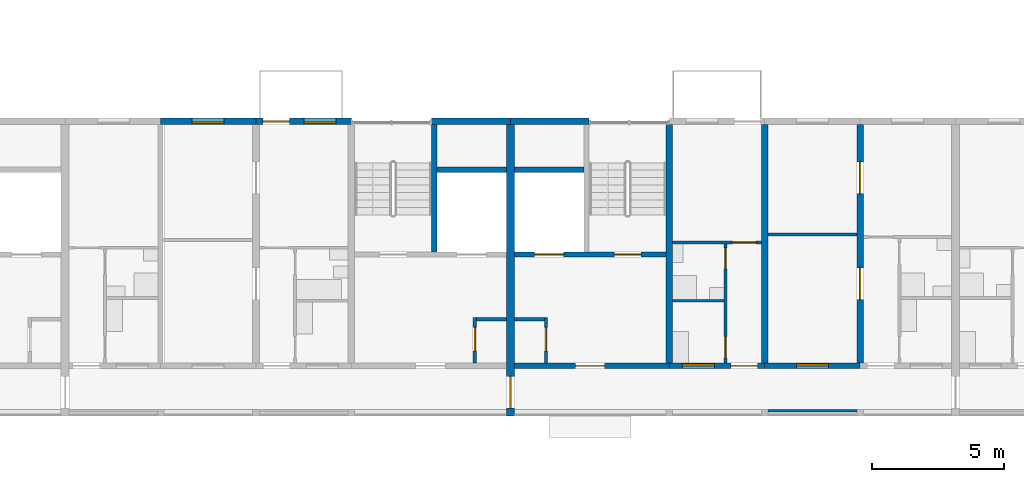
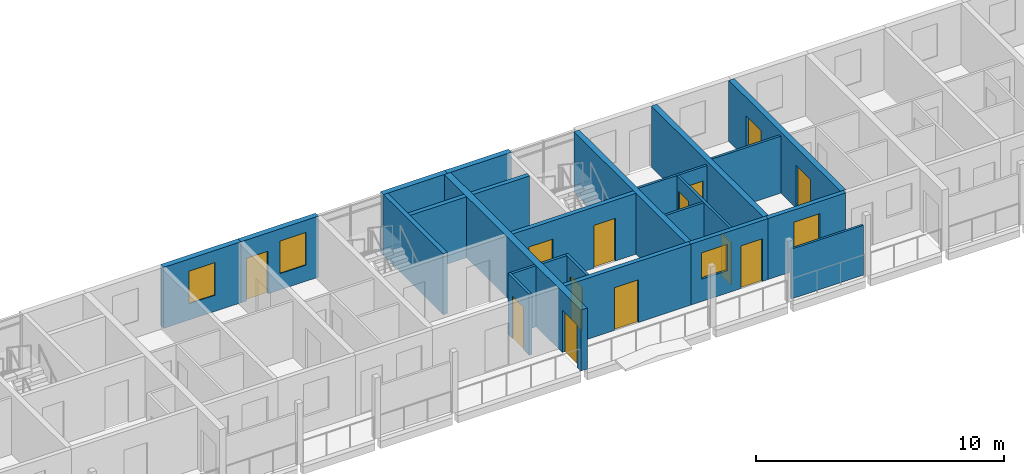
# One storey, part 32 of 100: 24 walls, 13 doors, 4 windows, 17 openings.
"""IFC4 building model written with IfcOpenShell, lengths in metres."""

from ifc_helpers import new_model, si_unit, direction, frame, frame_2d, origin, place, context, subcontext, project, spatial, rectangle, extrude, material, layer, layer_set, type_object, element, fill, save


model = new_model("IFC4")

# Units and contexts
model_context = context("Model", 3, precision=1e-05, world=origin(), true_north=direction((0.0, 1.0)))
body_context = subcontext(model_context, "Body", "Model", "MODEL_VIEW")
ifc_project = project(units=[si_unit("LENGTHUNIT", "METRE"), si_unit("AREAUNIT", "SQUARE_METRE"), si_unit("VOLUMEUNIT", "CUBIC_METRE"), si_unit("PLANEANGLEUNIT", "RADIAN"), si_unit("MASSUNIT", "GRAM", prefix="KILO")], contexts=[model_context])

# Site, building, storey
site_placement = place(None, origin())
site = spatial("IfcSite", under=ifc_project, at=site_placement, CompositionType="ELEMENT")
building_placement = place(site_placement, origin())
building = spatial("IfcBuilding", under=site, at=building_placement, Name="Ridgestep Commons", CompositionType="ELEMENT")
storey_placement = place(building_placement, frame((0.0, 0.0, 9.0)))
storey = spatial("IfcBuildingStorey", under=building, at=storey_placement, Name="L03", CompositionType="ELEMENT", Elevation=9.0)

# Wall
ifc_material_1 = material(Name="Concrete C30/37", Category="concrete")
ifc_layer_1 = layer(ifc_material_1, 0.25)
ifc_layer_set_1 = layer_set([ifc_layer_1], Name="Core cross wall 250")
wall_type_1 = type_object("IfcWallType", Name="Core cross wall 250", PredefinedType="SHEAR", material=ifc_layer_set_1)
wall_1_placement = place(storey_placement, frame((51.60009765625, 13.75, 0.0), z_axis=(0.0, 0.0, 1.0), x_axis=(0.0, 1.0, 0.0)))
element("IfcWall", 1, at=wall_1_placement, inside=storey, type_object=wall_type_1, Name="Cross wall A-03-0516", PredefinedType="SHEAR", context=body_context, shape_type="SweptSolid", body=[
    extrude(rectangle(XDim=9.0, YDim=0.25, at=frame_2d((4.5, 0.0))), origin(), (0.0, 0.0, 1.0), 3.0),
])

# Wall, opening, door
ifc_material_2 = material(Name="Concrete C30/37", Category="concrete")
ifc_layer_2 = layer(ifc_material_2, 0.199951171875)
ifc_layer_set_2 = layer_set([ifc_layer_2], Name="Core south wall 200")
wall_type_2 = type_object("IfcWallType", Name="Core south wall 200", PredefinedType="SHEAR", material=ifc_layer_set_2)
wall_2_placement = place(storey_placement, frame((45.75, 13.64990234375, 0.0), z_axis=(0.0, 0.0, 1.0), x_axis=(1.0, 0.0, 0.0)))
wall_2 = element("IfcWall", 2, at=wall_2_placement, inside=storey, type_object=wall_type_2, Name="Core south wall A3C L03", PredefinedType="SHEAR", context=body_context, shape_type="SweptSolid", body=[
    extrude(rectangle(XDim=5.85009765625, YDim=0.199951171875, at=frame_2d((2.925048828125, 0.0))), origin(), (0.0, 0.0, 1.0), 3.0),
])
opening_1_placement = place(wall_2_placement, frame((2.3125, 0.0, 0.0)))
opening_1 = element("IfcOpeningElement", 3, at=opening_1_placement, cuts=wall_2, Name="Opening A3C/03/1", PredefinedType="OPENING", context=body_context, shape_type="SweptSolid", body=[
    extrude(rectangle(XDim=1.10009765625, YDim=2.10009765625, at=frame_2d((0.550048828125, 1.050048828125))), frame((0.0, 0.10986328125, 0.0), z_axis=(0.0, -1.0, 0.0), x_axis=(1.0, 0.0, 0.0)), (0.0, 0.0, 1.0), 0.219970703125),
])
ifc_material_3 = material(Name="Steel fire door", Category="steel")
door_type_1 = type_object("IfcDoorType", Name="Lobby door 1100 x 2100 FD60", OperationType="NOTDEFINED", PredefinedType="DOOR", material=ifc_material_3)
door_1_placement = place(opening_1_placement, origin())
door_1 = element("IfcDoor", 4, at=door_1_placement, inside=storey, type_object=door_type_1, Name="Lobby door A3C/03/1", OperationType="SINGLE_SWING_LEFT", OverallHeight=2.10009765625, OverallWidth=1.10009765625, PredefinedType="DOOR", context=body_context, shape_type="SweptSolid", body=[
    extrude(rectangle(XDim=1.10009765625, YDim=2.10009765625, at=frame_2d((0.550048828125, 1.050048828125))), frame((0.0, 0.02490234375, 0.0), z_axis=(0.0, -1.0, 0.0), x_axis=(1.0, 0.0, 0.0)), (0.0, 0.0, 1.0), 0.050048828125),
])
fill(opening_1, door_1)

ifc_material_4 = material(Name="Concrete C30/37", Category="concrete")
ifc_layer_3 = layer(ifc_material_4, 0.1201171875)
ifc_layer_set_3 = layer_set([ifc_layer_3], Name="Core wall 120")
wall_type_3 = type_object("IfcWallType", Name="Core wall 120", PredefinedType="SHEAR", material=ifc_layer_set_3)
wall_3_placement = place(storey_placement, frame((44.260009765625, 13.75, 0.0), z_axis=(0.0, 0.0, 1.0), x_axis=(0.0, 1.0, 0.0)))
wall_3 = element("IfcWall", 5, at=wall_3_placement, inside=storey, type_object=wall_type_3, Name="Core riser w wall A2C L03", PredefinedType="SHEAR", context=body_context, shape_type="SweptSolid", body=[
    extrude(rectangle(XDim=1.719970703125, YDim=0.1201171875, at=frame_2d((0.85986328125, 0.0))), origin(), (0.0, 0.0, 1.0), 3.0),
])
opening_2_placement = place(wall_3_placement, frame((0.449951171875, 0.0, 0.0)))
opening_2 = element("IfcOpeningElement", 6, at=opening_2_placement, cuts=wall_3, Name="Opening A2C/03/4", PredefinedType="OPENING", context=body_context, shape_type="SweptSolid", body=[
    extrude(rectangle(XDim=0.89990234375, YDim=2.10009765625, at=frame_2d((0.449951171875, 1.050048828125))), frame((0.0, 0.070068359375, 0.0), z_axis=(0.0, -1.0, 0.0), x_axis=(1.0, 0.0, 0.0)), (0.0, 0.0, 1.0), 0.14013671875),
])
ifc_material_5 = material(Name="Steel fire door", Category="steel")
door_type_2 = type_object("IfcDoorType", Name="Riser door 900 x 2100 FD60", OperationType="NOTDEFINED", PredefinedType="DOOR", material=ifc_material_5)
door_2_placement = place(opening_2_placement, origin())
door_2 = element("IfcDoor", 7, at=door_2_placement, inside=storey, type_object=door_type_2, Name="Riser door A2C/03/4", OperationType="SINGLE_SWING_LEFT", OverallHeight=2.10009765625, OverallWidth=0.89990234375, PredefinedType="DOOR", context=body_context, shape_type="SweptSolid", body=[
    extrude(rectangle(XDim=0.89990234375, YDim=2.10009765625, at=frame_2d((0.449951171875, 1.050048828125))), frame((0.0, 0.02490234375, 0.0), z_axis=(0.0, -1.0, 0.0), x_axis=(1.0, 0.0, 0.0)), (0.0, 0.0, 1.0), 0.050048828125),
])
fill(opening_2, door_2)

# Wall
wall_4_placement = place(storey_placement, frame((44.320068359375, 15.409912109375, 0.0), z_axis=(0.0, 0.0, 1.0), x_axis=(1.0, 0.0, 0.0)))
element("IfcWall", 8, at=wall_4_placement, inside=storey, type_object=wall_type_3, Name="Core riser n wall A2C L03", PredefinedType="SHEAR", context=body_context, shape_type="SweptSolid", body=[
    extrude(rectangle(XDim=1.1298828125, YDim=0.1201171875, at=frame_2d((0.56494140625, 0.0))), origin(), (0.0, 0.0, 1.0), 3.0),
])

# Wall, opening, door
wall_5_placement = place(storey_placement, frame((46.93994140625, 13.75, 0.0), z_axis=(0.0, 0.0, 1.0), x_axis=(0.0, 1.0, 0.0)))
wall_5 = element("IfcWall", 9, at=wall_5_placement, inside=storey, type_object=wall_type_3, Name="Core riser w wall A3C L03", PredefinedType="SHEAR", context=body_context, shape_type="SweptSolid", body=[
    extrude(rectangle(XDim=1.719970703125, YDim=0.1201171875, at=frame_2d((0.85986328125, 0.0))), origin(), (0.0, 0.0, 1.0), 3.0),
])
opening_3_placement = place(wall_5_placement, frame((0.449951171875, 0.0, 0.0)))
opening_3 = element("IfcOpeningElement", 10, at=opening_3_placement, cuts=wall_5, Name="Opening A3C/03/4", PredefinedType="OPENING", context=body_context, shape_type="SweptSolid", body=[
    extrude(rectangle(XDim=0.89990234375, YDim=2.10009765625, at=frame_2d((0.449951171875, 1.050048828125))), frame((0.0, 0.070068359375, 0.0), z_axis=(0.0, -1.0, 0.0), x_axis=(1.0, 0.0, 0.0)), (0.0, 0.0, 1.0), 0.14013671875),
])
door_3_placement = place(opening_3_placement, origin())
door_3 = element("IfcDoor", 11, at=door_3_placement, inside=storey, type_object=door_type_2, Name="Riser door A3C/03/4", OperationType="SINGLE_SWING_RIGHT", OverallHeight=2.10009765625, OverallWidth=0.89990234375, PredefinedType="DOOR", context=body_context, shape_type="SweptSolid", body=[
    extrude(rectangle(XDim=0.89990234375, YDim=2.10009765625, at=frame_2d((0.449951171875, 1.050048828125))), frame((0.0, 0.02490234375, 0.0), z_axis=(0.0, -1.0, 0.0), x_axis=(1.0, 0.0, 0.0)), (0.0, 0.0, 1.0), 0.050048828125),
])
fill(opening_3, door_3)

# Walls
wall_6_placement = place(storey_placement, frame((45.75, 15.409912109375, 0.0), z_axis=(0.0, 0.0, 1.0), x_axis=(1.0, 0.0, 0.0)))
element("IfcWall", 12, at=wall_6_placement, inside=storey, type_object=wall_type_3, Name="Core riser n wall A3C L03", PredefinedType="SHEAR", context=body_context, shape_type="SweptSolid", body=[
    extrude(rectangle(XDim=1.1298828125, YDim=0.1201171875, at=frame_2d((0.56494140625, 0.0))), origin(), (0.0, 0.0, 1.0), 3.0),
])
ifc_material_6 = material(Name="Concrete C30/37", Category="concrete")
ifc_layer_4 = layer(ifc_material_6, 0.199951171875)
ifc_layer_set_4 = layer_set([ifc_layer_4], Name="Core wall 200")
wall_type_4 = type_object("IfcWallType", Name="Core wall 200", PredefinedType="SHEAR", material=ifc_layer_set_4)
wall_7_placement = place(storey_placement, frame((42.72509765625, 17.949951171875, 0.0), z_axis=(0.0, 0.0, 1.0), x_axis=(0.0, 1.0, 0.0)))
element("IfcWall", 13, at=wall_7_placement, inside=storey, type_object=wall_type_4, Name="Core stair wall A2C L03", PredefinedType="SHEAR", context=body_context, shape_type="SweptSolid", body=[
    extrude(rectangle(XDim=4.800048828125, YDim=0.199951171875, at=frame_2d((2.39990234375, 0.0))), origin(), (0.0, 0.0, 1.0), 3.0),
])
wall_8_placement = place(storey_placement, frame((42.824951171875, 21.050048828125, 0.0), z_axis=(0.0, 0.0, 1.0), x_axis=(1.0, 0.0, 0.0)))
element("IfcWall", 14, at=wall_8_placement, inside=storey, type_object=wall_type_4, Name="Core duct wall A2C L03", PredefinedType="SHEAR", context=body_context, shape_type="SweptSolid", body=[
    extrude(rectangle(XDim=2.625, YDim=0.199951171875, at=frame_2d((1.3125, 0.0))), origin(), (0.0, 0.0, 1.0), 3.0),
])

# Wall, openings, doors
wall_9_placement = place(storey_placement, frame((45.75, 17.85009765625, 0.0), z_axis=(0.0, 0.0, 1.0), x_axis=(1.0, 0.0, 0.0)))
wall_9 = element("IfcWall", 15, at=wall_9_placement, inside=storey, type_object=wall_type_4, Name="Core lobby wall A3C L03", PredefinedType="SHEAR", context=body_context, shape_type="SweptSolid", body=[
    extrude(rectangle(XDim=5.72509765625, YDim=0.199951171875, at=frame_2d((2.862548828125, 0.0))), origin(), (0.0, 0.0, 1.0), 3.0),
])
opening_4_placement = place(wall_9_placement, frame((3.77490234375, 0.0, 0.0)))
opening_4 = element("IfcOpeningElement", 16, at=opening_4_placement, cuts=wall_9, Name="Opening A3C/03/2", PredefinedType="OPENING", context=body_context, shape_type="SweptSolid", body=[
    extrude(rectangle(XDim=1.0, YDim=2.10009765625, at=frame_2d((0.5, 1.050048828125))), frame((0.0, 0.10986328125, 0.0), z_axis=(0.0, -1.0, 0.0), x_axis=(1.0, 0.0, 0.0)), (0.0, 0.0, 1.0), 0.219970703125),
])
opening_5_placement = place(wall_9_placement, frame((0.762451171875, 0.0, 0.0)))
opening_5 = element("IfcOpeningElement", 17, at=opening_5_placement, cuts=wall_9, Name="Opening A3C/03/3", PredefinedType="OPENING", context=body_context, shape_type="SweptSolid", body=[
    extrude(rectangle(XDim=1.10009765625, YDim=2.10009765625, at=frame_2d((0.550048828125, 1.050048828125))), frame((0.0, 0.10986328125, 0.0), z_axis=(0.0, -1.0, 0.0), x_axis=(1.0, 0.0, 0.0)), (0.0, 0.0, 1.0), 0.219970703125),
])
ifc_material_7 = material(Name="Stainless steel", Category="steel")
door_type_3 = type_object("IfcDoorType", Name="Lift landing door 1100 x 2100 FD60", OperationType="DOUBLE_DOOR_SLIDING", PredefinedType="DOOR", material=ifc_material_7)
door_4_placement = place(opening_5_placement, origin())
door_4 = element("IfcDoor", 18, at=door_4_placement, inside=storey, type_object=door_type_3, Name="Landing door LD A3C L03", OperationType="DOUBLE_DOOR_SLIDING", OverallHeight=2.10009765625, OverallWidth=1.10009765625, PredefinedType="DOOR", context=body_context, shape_type="SweptSolid", body=[
    extrude(rectangle(XDim=1.10009765625, YDim=2.10009765625, at=frame_2d((0.550048828125, 1.050048828125))), frame((0.0, 0.02490234375, 0.0), z_axis=(0.0, -1.0, 0.0), x_axis=(1.0, 0.0, 0.0)), (0.0, 0.0, 1.0), 0.050048828125),
])
fill(opening_5, door_4)
ifc_material_8 = material(Name="Steel fire door", Category="steel")
door_type_4 = type_object("IfcDoorType", Name="Stair door 1000 x 2100 FD60", OperationType="NOTDEFINED", PredefinedType="DOOR", material=ifc_material_8)
door_5_placement = place(opening_4_placement, origin())
door_5 = element("IfcDoor", 19, at=door_5_placement, inside=storey, type_object=door_type_4, Name="Stair door A3C/03/2", OperationType="SINGLE_SWING_RIGHT", OverallHeight=2.10009765625, OverallWidth=1.0, PredefinedType="DOOR", context=body_context, shape_type="SweptSolid", body=[
    extrude(rectangle(XDim=1.0, YDim=2.10009765625, at=frame_2d((0.5, 1.050048828125))), frame((0.0, 0.02490234375, 0.0), z_axis=(0.0, -1.0, 0.0), x_axis=(1.0, 0.0, 0.0)), (0.0, 0.0, 1.0), 0.050048828125),
])
fill(opening_4, door_5)

# Walls
wall_10_placement = place(storey_placement, frame((45.75, 21.050048828125, 0.0), z_axis=(0.0, 0.0, 1.0), x_axis=(1.0, 0.0, 0.0)))
element("IfcWall", 20, at=wall_10_placement, inside=storey, type_object=wall_type_4, Name="Core duct wall A3C L03", PredefinedType="SHEAR", context=body_context, shape_type="SweptSolid", body=[
    extrude(rectangle(XDim=2.625, YDim=0.199951171875, at=frame_2d((1.3125, 0.0))), origin(), (0.0, 0.0, 1.0), 3.0),
])
ifc_material_9 = material(Name="Precast concrete C40/50", Category="concrete")
ifc_layer_5 = layer(ifc_material_9, 0.25)
ifc_layer_set_5 = layer_set([ifc_layer_5], Name="Cross wall 250")
wall_type_5 = type_object("IfcWallType", Name="Cross wall 250", PredefinedType="SHEAR", material=ifc_layer_set_5)
wall_11_placement = place(storey_placement, frame((55.199951171875, 13.75, 0.0), z_axis=(0.0, 0.0, 1.0), x_axis=(0.0, 1.0, 0.0)))
element("IfcWall", 21, at=wall_11_placement, inside=storey, type_object=wall_type_5, Name="Cross wall A-03-0552", PredefinedType="SHEAR", context=body_context, shape_type="SweptSolid", body=[
    extrude(rectangle(XDim=9.0, YDim=0.25, at=frame_2d((4.5, 0.0))), origin(), (0.0, 0.0, 1.0), 3.0),
])

# Wall, openings, doors
wall_12_placement = place(storey_placement, frame((58.800048828125, 13.75, 0.0), z_axis=(0.0, 0.0, 1.0), x_axis=(0.0, 1.0, 0.0)))
wall_12 = element("IfcWall", 22, at=wall_12_placement, inside=storey, type_object=wall_type_5, Name="Cross wall A-03-0588", PredefinedType="SHEAR", context=body_context, shape_type="SweptSolid", body=[
    extrude(rectangle(XDim=9.0, YDim=0.25, at=frame_2d((4.5, 0.0))), origin(), (0.0, 0.0, 1.0), 3.0),
])
opening_6_placement = place(wall_12_placement, frame((2.39990234375, 0.0, 0.0)))
opening_6 = element("IfcOpeningElement", 23, at=opening_6_placement, cuts=wall_12, Name="Opening A3-03a/5", PredefinedType="OPENING", context=body_context, shape_type="SweptSolid", body=[
    extrude(rectangle(XDim=1.199951171875, YDim=2.10009765625, at=frame_2d((0.60009765625, 1.050048828125))), frame((0.0, 0.135009765625, 0.0), z_axis=(0.0, -1.0, 0.0), x_axis=(1.0, 0.0, 0.0)), (0.0, 0.0, 1.0), 0.27001953125),
])
opening_7_placement = place(wall_12_placement, frame((6.39990234375, 0.0, 0.0)))
opening_7 = element("IfcOpeningElement", 24, at=opening_7_placement, cuts=wall_12, Name="Opening A3-03a/6", PredefinedType="OPENING", context=body_context, shape_type="SweptSolid", body=[
    extrude(rectangle(XDim=1.199951171875, YDim=2.10009765625, at=frame_2d((0.60009765625, 1.050048828125))), frame((0.0, 0.135009765625, 0.0), z_axis=(0.0, -1.0, 0.0), x_axis=(1.0, 0.0, 0.0)), (0.0, 0.0, 1.0), 0.27001953125),
])
ifc_material_10 = material(Name="Timber door leaf", Category="wood")
door_type_5 = type_object("IfcDoorType", Name="Double door 1200 x 2100", OperationType="DOUBLE_DOOR_SINGLE_SWING", PredefinedType="DOOR", material=ifc_material_10)
door_6_placement = place(opening_6_placement, origin())
door_6 = element("IfcDoor", 25, at=door_6_placement, inside=storey, type_object=door_type_5, Name="Double door A3-03a/5", OperationType="DOUBLE_DOOR_SINGLE_SWING", OverallHeight=2.10009765625, OverallWidth=1.199951171875, PredefinedType="DOOR", context=body_context, shape_type="SweptSolid", body=[
    extrude(rectangle(XDim=1.199951171875, YDim=2.10009765625, at=frame_2d((0.60009765625, 1.050048828125))), frame((0.0, 0.02490234375, 0.0), z_axis=(0.0, -1.0, 0.0), x_axis=(1.0, 0.0, 0.0)), (0.0, 0.0, 1.0), 0.050048828125),
])
fill(opening_6, door_6)
door_7_placement = place(opening_7_placement, origin())
door_7 = element("IfcDoor", 26, at=door_7_placement, inside=storey, type_object=door_type_5, Name="Double door A3-03a/6", OperationType="DOUBLE_DOOR_SINGLE_SWING", OverallHeight=2.10009765625, OverallWidth=1.199951171875, PredefinedType="DOOR", context=body_context, shape_type="SweptSolid", body=[
    extrude(rectangle(XDim=1.199951171875, YDim=2.10009765625, at=frame_2d((0.60009765625, 1.050048828125))), frame((0.0, 0.02490234375, 0.0), z_axis=(0.0, -1.0, 0.0), x_axis=(1.0, 0.0, 0.0)), (0.0, 0.0, 1.0), 0.050048828125),
])
fill(opening_7, door_7)

# Wall, opening, door
ifc_material_11 = material(Name="Precast concrete C40/50", Category="concrete")
ifc_layer_6 = layer(ifc_material_11, 0.300048828125)
ifc_layer_set_6 = layer_set([ifc_layer_6], Name="Division wall 300")
wall_type_6 = type_object("IfcWallType", Name="Division wall 300", PredefinedType="SHEAR", material=ifc_layer_set_6)
wall_13_placement = place(storey_placement, frame((45.60009765625, 11.75, 0.0), z_axis=(0.0, 0.0, 1.0), x_axis=(0.0, 1.0, 0.0)))
wall_13 = element("IfcWall", 27, at=wall_13_placement, inside=storey, type_object=wall_type_6, Name="Cross wall A-03-0456", PredefinedType="SHEAR", context=body_context, shape_type="SweptSolid", body=[
    extrude(rectangle(XDim=11.0, YDim=0.300048828125, at=frame_2d((5.5, 0.0))), origin(), (0.0, 0.0, 1.0), 3.0),
])
opening_8_placement = place(wall_13_placement, frame((0.300048828125, 0.0, 0.0)))
opening_8 = element("IfcOpeningElement", 28, at=opening_8_placement, cuts=wall_13, Name="Opening A/03/G0456", PredefinedType="OPENING", context=body_context, shape_type="SweptSolid", body=[
    extrude(rectangle(XDim=1.199951171875, YDim=2.10009765625, at=frame_2d((0.60009765625, 1.050048828125))), frame((0.0, 0.159912109375, 0.0), z_axis=(0.0, -1.0, 0.0), x_axis=(1.0, 0.0, 0.0)), (0.0, 0.0, 1.0), 0.320068359375),
])
ifc_material_12 = material(Name="Steel fire door", Category="steel")
door_type_6 = type_object("IfcDoorType", Name="Division fire door 1200 x 2100 EI 240", OperationType="DOUBLE_DOOR_SINGLE_SWING", PredefinedType="DOOR", material=ifc_material_12)
door_8_placement = place(opening_8_placement, origin())
door_8 = element("IfcDoor", 29, at=door_8_placement, inside=storey, type_object=door_type_6, Name="Division fire door A/03/G0456", OperationType="DOUBLE_DOOR_SINGLE_SWING", OverallHeight=2.10009765625, OverallWidth=1.199951171875, PredefinedType="DOOR", context=body_context, shape_type="SweptSolid", body=[
    extrude(rectangle(XDim=1.199951171875, YDim=2.10009765625, at=frame_2d((0.60009765625, 1.050048828125))), frame((0.0, 0.02490234375, 0.0), z_axis=(0.0, -1.0, 0.0), x_axis=(1.0, 0.0, 0.0)), (0.0, 0.0, 1.0), 0.050048828125),
])
fill(opening_8, door_8)

# Wall, opening, window
ifc_material_13 = material(Name="Precast concrete C40/50", Category="concrete")
ifc_layer_7 = layer(ifc_material_13, 0.25)
ifc_layer_set_7 = layer_set([ifc_layer_7], Name="North facade panel 250")
wall_type_7 = type_object("IfcWallType", Name="North facade panel 250", PredefinedType="SOLIDWALL", material=ifc_layer_set_7)
wall_14_placement = place(storey_placement, frame((32.39990234375, 22.875, 0.0), z_axis=(0.0, 0.0, 1.0), x_axis=(1.0, 0.0, 0.0)))
wall_14 = element("IfcWall", 30, at=wall_14_placement, inside=storey, type_object=wall_type_7, Name="North panel A2T2 L03", PredefinedType="SOLIDWALL", context=body_context, shape_type="SweptSolid", body=[
    extrude(rectangle(XDim=3.60009765625, YDim=0.25, at=frame_2d((1.800048828125, 0.0))), origin(), (0.0, 0.0, 1.0), 3.0),
])
opening_9_placement = place(wall_14_placement, frame((1.1875, 0.0, 0.800048828125)))
opening_9 = element("IfcOpeningElement", 31, at=opening_9_placement, cuts=wall_14, Name="Opening W11", PredefinedType="OPENING", context=body_context, shape_type="SweptSolid", body=[
    extrude(rectangle(XDim=1.199951171875, YDim=1.60009765625, at=frame_2d((0.60009765625, 0.800048828125))), frame((0.0, 0.135009765625, 0.0), z_axis=(0.0, -1.0, 0.0), x_axis=(1.0, 0.0, 0.0)), (0.0, 0.0, 1.0), 0.27001953125),
])
ifc_material_14 = material(Name="Aluminium 6063-T6 and glass", Category="aluminium")
window_type_1 = type_object("IfcWindowType", Name="Flat window 1200 x 1600", PartitioningType="SINGLE_PANEL", PredefinedType="WINDOW", material=ifc_material_14)
window_1_placement = place(opening_9_placement, origin())
window_1 = element("IfcWindow", 32, at=window_1_placement, inside=storey, type_object=window_type_1, Name="Window A2-03b 2", OverallHeight=1.60009765625, OverallWidth=1.199951171875, PartitioningType="SINGLE_PANEL", PredefinedType="WINDOW", context=body_context, shape_type="SweptSolid", body=[
    extrude(rectangle(XDim=1.199951171875, YDim=1.60009765625, at=frame_2d((0.60009765625, 0.800048828125))), frame((0.0, -0.02490234375, 0.0), z_axis=(0.0, -1.0, 0.0), x_axis=(1.0, 0.0, 0.0)), (0.0, 0.0, 1.0), 0.06005859375),
])
fill(opening_9, window_1)

# Wall, openings, door, window
wall_15_placement = place(storey_placement, frame((36.0, 22.875, 0.0), z_axis=(0.0, 0.0, 1.0), x_axis=(1.0, 0.0, 0.0)))
wall_15 = element("IfcWall", 33, at=wall_15_placement, inside=storey, type_object=wall_type_7, Name="North panel A2T3 L03", PredefinedType="SOLIDWALL", context=body_context, shape_type="SweptSolid", body=[
    extrude(rectangle(XDim=3.60009765625, YDim=0.25, at=frame_2d((1.800048828125, 0.0))), origin(), (0.0, 0.0, 1.0), 3.0),
])
opening_10_placement = place(wall_15_placement, frame((1.81689453125, 0.0, 0.800048828125)))
opening_10 = element("IfcOpeningElement", 34, at=opening_10_placement, cuts=wall_15, Name="Opening W11", PredefinedType="OPENING", context=body_context, shape_type="SweptSolid", body=[
    extrude(rectangle(XDim=1.199951171875, YDim=1.60009765625, at=frame_2d((0.60009765625, 0.800048828125))), frame((0.0, 0.135009765625, 0.0), z_axis=(0.0, -1.0, 0.0), x_axis=(1.0, 0.0, 0.0)), (0.0, 0.0, 1.0), 0.27001953125),
])
opening_11_placement = place(wall_15_placement, frame((0.259033203125, 0.0, 0.0)))
opening_11 = element("IfcOpeningElement", 35, at=opening_11_placement, cuts=wall_15, Name="Opening A2-03b/7", PredefinedType="OPENING", context=body_context, shape_type="SweptSolid", body=[
    extrude(rectangle(XDim=1.0, YDim=2.10009765625, at=frame_2d((0.5, 1.050048828125))), frame((0.0, 0.135009765625, 0.0), z_axis=(0.0, -1.0, 0.0), x_axis=(1.0, 0.0, 0.0)), (0.0, 0.0, 1.0), 0.27001953125),
])
ifc_material_15 = material(Name="Aluminium and glass", Category="aluminium")
door_type_7 = type_object("IfcDoorType", Name="Balcony door 1000 x 2100", OperationType="NOTDEFINED", PredefinedType="DOOR", material=ifc_material_15)
door_9_placement = place(opening_11_placement, origin())
door_9 = element("IfcDoor", 36, at=door_9_placement, inside=storey, type_object=door_type_7, Name="Balcony door A2-03b/7", OperationType="SINGLE_SWING_RIGHT", OverallHeight=2.10009765625, OverallWidth=1.0, PredefinedType="DOOR", context=body_context, shape_type="SweptSolid", body=[
    extrude(rectangle(XDim=1.0, YDim=2.10009765625, at=frame_2d((0.5, 1.050048828125))), frame((0.0, 0.02490234375, 0.0), z_axis=(0.0, -1.0, 0.0), x_axis=(1.0, 0.0, 0.0)), (0.0, 0.0, 1.0), 0.050048828125),
])
fill(opening_11, door_9)
window_2_placement = place(opening_10_placement, origin())
window_2 = element("IfcWindow", 37, at=window_2_placement, inside=storey, type_object=window_type_1, Name="Window A2-03b 4", OverallHeight=1.60009765625, OverallWidth=1.199951171875, PartitioningType="SINGLE_PANEL", PredefinedType="WINDOW", context=body_context, shape_type="SweptSolid", body=[
    extrude(rectangle(XDim=1.199951171875, YDim=1.60009765625, at=frame_2d((0.60009765625, 0.800048828125))), frame((0.0, -0.02490234375, 0.0), z_axis=(0.0, -1.0, 0.0), x_axis=(1.0, 0.0, 0.0)), (0.0, 0.0, 1.0), 0.06005859375),
])
fill(opening_10, window_2)

# Walls
wall_16_placement = place(storey_placement, frame((42.625, 22.875, 0.0), z_axis=(0.0, 0.0, 1.0), x_axis=(1.0, 0.0, 0.0)))
element("IfcWall", 38, at=wall_16_placement, inside=storey, type_object=wall_type_7, Name="North panel A2C L03", PredefinedType="SOLIDWALL", context=body_context, shape_type="SweptSolid", body=[
    extrude(rectangle(XDim=2.97509765625, YDim=0.25, at=frame_2d((1.487548828125, 0.0))), origin(), (0.0, 0.0, 1.0), 3.0),
])
wall_17_placement = place(storey_placement, frame((45.60009765625, 22.875, 0.0), z_axis=(0.0, 0.0, 1.0), x_axis=(1.0, 0.0, 0.0)))
element("IfcWall", 39, at=wall_17_placement, inside=storey, type_object=wall_type_7, Name="North panel A3C L03", PredefinedType="SOLIDWALL", context=body_context, shape_type="SweptSolid", body=[
    extrude(rectangle(XDim=2.974853515625, YDim=0.25, at=frame_2d((1.4873046875, 0.0))), origin(), (0.0, 0.0, 1.0), 3.0),
])
ifc_material_16 = material(Name="Common brick 110 mm", Category="masonry")
ifc_layer_8 = layer(ifc_material_16, 0.110107421875)
ifc_layer_set_8 = layer_set([ifc_layer_8], Name="Partition 110")
wall_type_8 = type_object("IfcWallType", Name="Partition 110", PredefinedType="PARTITIONING", material=ifc_layer_set_8)
wall_18_placement = place(storey_placement, frame((55.324951171875, 18.60498046875, 0.0), z_axis=(0.0, 0.0, 1.0), x_axis=(1.0, 0.0, 0.0)))
element("IfcWall", 40, at=wall_18_placement, inside=storey, type_object=wall_type_8, Name="Partition A3-03a", PredefinedType="PARTITIONING", context=body_context, shape_type="SweptSolid", body=[
    extrude(rectangle(XDim=3.35009765625, YDim=0.110107421875, at=frame_2d((1.675048828125, 0.0))), origin(), (0.0, 0.0, 1.0), 2.800048828125),
])
wall_19_placement = place(storey_placement, frame((51.72509765625, 16.10498046875, 0.0), z_axis=(0.0, 0.0, 1.0), x_axis=(1.0, 0.0, 0.0)))
element("IfcWall", 41, at=wall_19_placement, inside=storey, type_object=wall_type_8, Name="Partition A3-03b", PredefinedType="PARTITIONING", context=body_context, shape_type="SweptSolid", body=[
    extrude(rectangle(XDim=1.93994140625, YDim=0.110107421875, at=frame_2d((0.969970703125, 0.0))), origin(), (0.0, 0.0, 1.0), 2.800048828125),
])

# Wall, openings, doors
wall_20_placement = place(storey_placement, frame((53.719970703125, 13.75, 0.0), z_axis=(0.0, 0.0, 1.0), x_axis=(0.0, 1.0, 0.0)))
wall_20 = element("IfcWall", 42, at=wall_20_placement, inside=storey, type_object=wall_type_8, Name="Partition A3-03b", PredefinedType="PARTITIONING", context=body_context, shape_type="SweptSolid", body=[
    extrude(rectangle(XDim=4.5, YDim=0.110107421875, at=frame_2d((2.25, 0.0))), origin(), (0.0, 0.0, 1.0), 2.800048828125),
])
opening_12_placement = place(wall_20_placement, frame((0.199951171875, 0.0, 0.0)))
opening_12 = element("IfcOpeningElement", 43, at=opening_12_placement, cuts=wall_20, Name="Opening A3-03b/2", PredefinedType="OPENING", context=body_context, shape_type="SweptSolid", body=[
    extrude(rectangle(XDim=0.800048828125, YDim=2.10009765625, at=frame_2d((0.39990234375, 1.050048828125))), frame((0.0, 0.06494140625, 0.0), z_axis=(0.0, -1.0, 0.0), x_axis=(1.0, 0.0, 0.0)), (0.0, 0.0, 1.0), 0.130126953125),
])
opening_13_placement = place(wall_20_placement, frame((3.550048828125, 0.0, 0.0)))
opening_13 = element("IfcOpeningElement", 44, at=opening_13_placement, cuts=wall_20, Name="Opening A3-03b/3", PredefinedType="OPENING", context=body_context, shape_type="SweptSolid", body=[
    extrude(rectangle(XDim=0.800048828125, YDim=2.10009765625, at=frame_2d((0.39990234375, 1.050048828125))), frame((0.0, 0.06494140625, 0.0), z_axis=(0.0, -1.0, 0.0), x_axis=(1.0, 0.0, 0.0)), (0.0, 0.0, 1.0), 0.130126953125),
])
ifc_material_17 = material(Name="Timber door leaf", Category="wood")
door_type_8 = type_object("IfcDoorType", Name="Internal door 800 x 2100", OperationType="NOTDEFINED", PredefinedType="DOOR", material=ifc_material_17)
door_10_placement = place(opening_12_placement, origin())
door_10 = element("IfcDoor", 45, at=door_10_placement, inside=storey, type_object=door_type_8, Name="Internal door A3-03b/2", OperationType="SINGLE_SWING_LEFT", OverallHeight=2.10009765625, OverallWidth=0.800048828125, PredefinedType="DOOR", context=body_context, shape_type="SweptSolid", body=[
    extrude(rectangle(XDim=0.800048828125, YDim=2.10009765625, at=frame_2d((0.39990234375, 1.050048828125))), frame((0.0, 0.02490234375, 0.0), z_axis=(0.0, -1.0, 0.0), x_axis=(1.0, 0.0, 0.0)), (0.0, 0.0, 1.0), 0.050048828125),
])
fill(opening_12, door_10)
door_11_placement = place(opening_13_placement, origin())
door_11 = element("IfcDoor", 46, at=door_11_placement, inside=storey, type_object=door_type_8, Name="Internal door A3-03b/3", OperationType="SINGLE_SWING_RIGHT", OverallHeight=2.10009765625, OverallWidth=0.800048828125, PredefinedType="DOOR", context=body_context, shape_type="SweptSolid", body=[
    extrude(rectangle(XDim=0.800048828125, YDim=2.10009765625, at=frame_2d((0.39990234375, 1.050048828125))), frame((0.0, 0.02490234375, 0.0), z_axis=(0.0, -1.0, 0.0), x_axis=(1.0, 0.0, 0.0)), (0.0, 0.0, 1.0), 0.050048828125),
])
fill(opening_13, door_11)

# Wall, opening, door
wall_21_placement = place(storey_placement, frame((51.72509765625, 18.304931640625, 0.0), z_axis=(0.0, 0.0, 1.0), x_axis=(1.0, 0.0, 0.0)))
wall_21 = element("IfcWall", 47, at=wall_21_placement, inside=storey, type_object=wall_type_8, Name="Partition A3-03b", PredefinedType="PARTITIONING", context=body_context, shape_type="SweptSolid", body=[
    extrude(rectangle(XDim=3.349853515625, YDim=0.110107421875, at=frame_2d((1.6748046875, 0.0))), origin(), (0.0, 0.0, 1.0), 2.800048828125),
])
opening_14_placement = place(wall_21_placement, frame((2.25, 0.0, 0.0)))
opening_14 = element("IfcOpeningElement", 48, at=opening_14_placement, cuts=wall_21, Name="Opening A3-03b/4", PredefinedType="OPENING", context=body_context, shape_type="SweptSolid", body=[
    extrude(rectangle(XDim=0.89990234375, YDim=2.10009765625, at=frame_2d((0.449951171875, 1.050048828125))), frame((0.0, 0.06494140625, 0.0), z_axis=(0.0, -1.0, 0.0), x_axis=(1.0, 0.0, 0.0)), (0.0, 0.0, 1.0), 0.130126953125),
])
ifc_material_18 = material(Name="Timber door leaf", Category="wood")
door_type_9 = type_object("IfcDoorType", Name="Internal door 900 x 2100", OperationType="NOTDEFINED", PredefinedType="DOOR", material=ifc_material_18)
door_12_placement = place(opening_14_placement, origin())
door_12 = element("IfcDoor", 49, at=door_12_placement, inside=storey, type_object=door_type_9, Name="Internal door A3-03b/4", OperationType="SINGLE_SWING_LEFT", OverallHeight=2.10009765625, OverallWidth=0.89990234375, PredefinedType="DOOR", context=body_context, shape_type="SweptSolid", body=[
    extrude(rectangle(XDim=0.89990234375, YDim=2.10009765625, at=frame_2d((0.449951171875, 1.050048828125))), frame((0.0, 0.02490234375, 0.0), z_axis=(0.0, -1.0, 0.0), x_axis=(1.0, 0.0, 0.0)), (0.0, 0.0, 1.0), 0.050048828125),
])
fill(opening_14, door_12)

# Wall
ifc_material_19 = material(Name="Precast concrete C30/37", Category="concrete")
ifc_layer_9 = layer(ifc_material_19, 0.10009765625)
ifc_layer_set_9 = layer_set([ifc_layer_9], Name="Perforated gallery screen 3350 x 2450 x 100")
wall_type_9 = type_object("IfcWallType", Name="Perforated gallery screen 3350 x 2450 x 100", PredefinedType="SOLIDWALL", material=ifc_layer_set_9)
wall_22_placement = place(storey_placement, frame((55.324951171875, 11.949951171875, 0.0), z_axis=(0.0, 0.0, 1.0), x_axis=(1.0, 0.0, 0.0)))
element("IfcWall", 50, at=wall_22_placement, inside=storey, type_object=wall_type_9, Name="Gallery screen A3T2 03", PredefinedType="SOLIDWALL", context=body_context, shape_type="SweptSolid", body=[
    extrude(rectangle(XDim=3.35009765625, YDim=0.10009765625, at=frame_2d((1.675048828125, 0.0))), origin(), (0.0, 0.0, 1.0), 2.449951171875),
])

# Wall, openings, door, window
ifc_material_20 = material(Name="Precast concrete C40/50", Category="concrete")
ifc_layer_10 = layer(ifc_material_20, 0.199951171875)
ifc_layer_set_10 = layer_set([ifc_layer_10], Name="South facade panel 200")
wall_type_10 = type_object("IfcWallType", Name="South facade panel 200", PredefinedType="SOLIDWALL", material=ifc_layer_set_10)
wall_23_placement = place(storey_placement, frame((51.60009765625, 13.64990234375, 0.0), z_axis=(0.0, 0.0, 1.0), x_axis=(1.0, 0.0, 0.0)))
wall_23 = element("IfcWall", 51, at=wall_23_placement, inside=storey, type_object=wall_type_10, Name="South panel A3T3 L03", PredefinedType="SOLIDWALL", context=body_context, shape_type="SweptSolid", body=[
    extrude(rectangle(XDim=3.599853515625, YDim=0.199951171875, at=frame_2d((1.7998046875, 0.0))), origin(), (0.0, 0.0, 1.0), 3.0),
])
opening_15_placement = place(wall_23_placement, frame((0.4951171875, 0.0, 1.10009765625)))
opening_15 = element("IfcOpeningElement", 52, at=opening_15_placement, cuts=wall_23, Name="Opening W08", PredefinedType="OPENING", context=body_context, shape_type="SweptSolid", body=[
    extrude(rectangle(XDim=1.199951171875, YDim=1.300048828125, at=frame_2d((0.60009765625, 0.64990234375))), frame((0.0, 0.10986328125, 0.0), z_axis=(0.0, -1.0, 0.0), x_axis=(1.0, 0.0, 0.0)), (0.0, 0.0, 1.0), 0.219970703125),
])
opening_16_placement = place(wall_23_placement, frame((2.324951171875, 0.0, 0.0)))
opening_16 = element("IfcOpeningElement", 53, at=opening_16_placement, cuts=wall_23, Name="Opening A3-03b/1", PredefinedType="OPENING", context=body_context, shape_type="SweptSolid", body=[
    extrude(rectangle(XDim=1.0, YDim=2.10009765625, at=frame_2d((0.5, 1.050048828125))), frame((0.0, 0.10986328125, 0.0), z_axis=(0.0, -1.0, 0.0), x_axis=(1.0, 0.0, 0.0)), (0.0, 0.0, 1.0), 0.219970703125),
])
ifc_material_21 = material(Name="Timber door leaf", Category="wood")
door_type_10 = type_object("IfcDoorType", Name="Flat entrance door 1000 x 2100 FD30S", OperationType="NOTDEFINED", PredefinedType="DOOR", material=ifc_material_21)
door_13_placement = place(opening_16_placement, origin())
door_13 = element("IfcDoor", 54, at=door_13_placement, inside=storey, type_object=door_type_10, Name="Flat entrance door A3-03b/1", OperationType="SINGLE_SWING_RIGHT", OverallHeight=2.10009765625, OverallWidth=1.0, PredefinedType="DOOR", context=body_context, shape_type="SweptSolid", body=[
    extrude(rectangle(XDim=1.0, YDim=2.10009765625, at=frame_2d((0.5, 1.050048828125))), frame((0.0, 0.02490234375, 0.0), z_axis=(0.0, -1.0, 0.0), x_axis=(1.0, 0.0, 0.0)), (0.0, 0.0, 1.0), 0.050048828125),
])
fill(opening_16, door_13)
ifc_material_22 = material(Name="Aluminium 6063-T6 and glass", Category="aluminium")
window_type_2 = type_object("IfcWindowType", Name="Flat window 1200 x 1300", PartitioningType="SINGLE_PANEL", PredefinedType="WINDOW", material=ifc_material_22)
window_3_placement = place(opening_15_placement, origin())
window_3 = element("IfcWindow", 55, at=window_3_placement, inside=storey, type_object=window_type_2, Name="Window A3-03b 1", OverallHeight=1.300048828125, OverallWidth=1.199951171875, PartitioningType="SINGLE_PANEL", PredefinedType="WINDOW", context=body_context, shape_type="SweptSolid", body=[
    extrude(rectangle(XDim=1.199951171875, YDim=1.300048828125, at=frame_2d((0.60009765625, 0.64990234375))), frame((0.0, 0.06005859375, 0.0), z_axis=(0.0, -1.0, 0.0), x_axis=(1.0, 0.0, 0.0)), (0.0, 0.0, 1.0), 0.06005859375),
])
fill(opening_15, window_3)

# Wall, opening, window
wall_24_placement = place(storey_placement, frame((55.199951171875, 13.64990234375, 0.0), z_axis=(0.0, 0.0, 1.0), x_axis=(1.0, 0.0, 0.0)))
wall_24 = element("IfcWall", 56, at=wall_24_placement, inside=storey, type_object=wall_type_10, Name="South panel A3T2 L03", PredefinedType="SOLIDWALL", context=body_context, shape_type="SweptSolid", body=[
    extrude(rectangle(XDim=3.60009765625, YDim=0.199951171875, at=frame_2d((1.800048828125, 0.0))), origin(), (0.0, 0.0, 1.0), 3.0),
])
opening_17_placement = place(wall_24_placement, frame((1.199951171875, 0.0, 0.800048828125)))
opening_17 = element("IfcOpeningElement", 57, at=opening_17_placement, cuts=wall_24, Name="Opening W11", PredefinedType="OPENING", context=body_context, shape_type="SweptSolid", body=[
    extrude(rectangle(XDim=1.199951171875, YDim=1.60009765625, at=frame_2d((0.60009765625, 0.800048828125))), frame((0.0, 0.10986328125, 0.0), z_axis=(0.0, -1.0, 0.0), x_axis=(1.0, 0.0, 0.0)), (0.0, 0.0, 1.0), 0.219970703125),
])
window_4_placement = place(opening_17_placement, origin())
window_4 = element("IfcWindow", 58, at=window_4_placement, inside=storey, type_object=window_type_1, Name="Window A3-03a 1", OverallHeight=1.60009765625, OverallWidth=1.199951171875, PartitioningType="SINGLE_PANEL", PredefinedType="WINDOW", context=body_context, shape_type="SweptSolid", body=[
    extrude(rectangle(XDim=1.199951171875, YDim=1.60009765625, at=frame_2d((0.60009765625, 0.800048828125))), frame((0.0, 0.06005859375, 0.0), z_axis=(0.0, -1.0, 0.0), x_axis=(1.0, 0.0, 0.0)), (0.0, 0.0, 1.0), 0.06005859375),
])
fill(opening_17, window_4)

save(model, "model.ifc")
